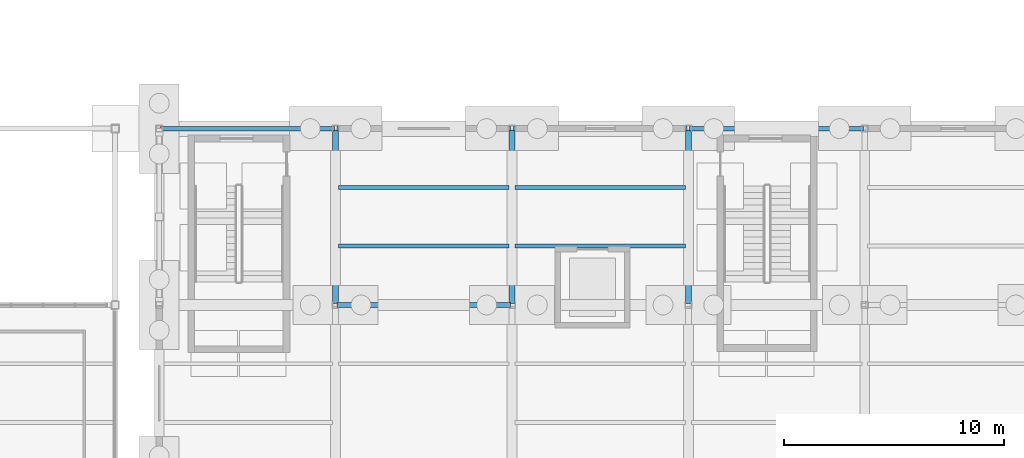
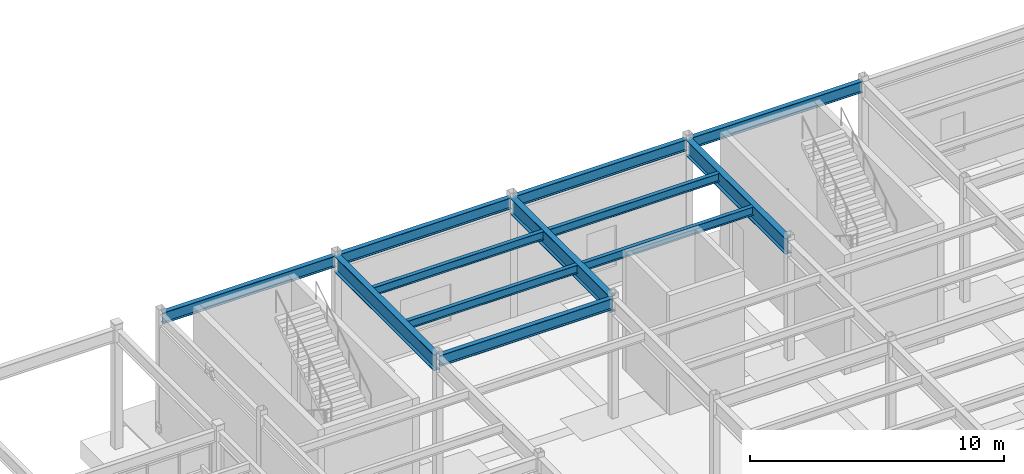
# One storey, part 47 of 82: 12 beams.
"""IFC4 building model written with IfcOpenShell, lengths in metres."""

from ifc_helpers import new_model, si_unit, direction, frame, origin, origin_2d, place, context, subcontext, project, spatial, i_section, extrude, material, material_profile, profile_set, type_object, element, save


model = new_model("IFC4")

# Units and contexts
model_context = context("Model", 3, precision=1e-05, world=origin(), true_north=direction((0.0, 1.0)))
body_context = subcontext(model_context, "Body", "Model", "MODEL_VIEW")
ifc_project = project(units=[si_unit("LENGTHUNIT", "METRE"), si_unit("AREAUNIT", "SQUARE_METRE"), si_unit("VOLUMEUNIT", "CUBIC_METRE"), si_unit("PLANEANGLEUNIT", "RADIAN"), si_unit("MASSUNIT", "GRAM", prefix="KILO")], contexts=[model_context])

# Site, building, storey
site_placement = place(None, origin())
site = spatial("IfcSite", under=ifc_project, at=site_placement, CompositionType="ELEMENT")
building_placement = place(site_placement, origin())
building = spatial("IfcBuilding", under=site, at=building_placement, Name="Drelvath Fold Interchange", CompositionType="ELEMENT")
storey_placement = place(building_placement, origin())
storey = spatial("IfcBuildingStorey", under=building, at=storey_placement, Name="L00", CompositionType="ELEMENT", Elevation=0.0)

# Beams
ifc_material = material(Name="Steel ASTM A992 Grade 50", Category="steel")
ifc_material_profile_1 = material_profile(ifc_material, i_section(OverallWidth=0.177978515625, OverallDepth=0.403076171875, WebThickness=0.007568359375, FlangeThickness=0.010986328125, at=origin_2d()), Name="W16X36")
ifc_profile_set_1 = profile_set([ifc_material_profile_1], Name="Steel ASTM A992 Grade 50")
beam_type_1 = type_object("IfcBeamType", Name="BM-W16X36", PredefinedType="JOIST", material=ifc_profile_set_1)
for number, where, z_axis, x_axis, name in (
    (1, (110.131103515625, 101.6669921875, 5.55810546875), (1.0, 0.0, 0.0), (0.0, 1.0, 0.0), "L00 Secondary floor joist BM-W16X36"),
    (2, (110.131103515625, 104.3330078125, 5.55810546875), (1.0, 0.0, 0.0), (0.0, 1.0, 0.0), "L00 Secondary floor joist BM-W16X36"),
    (3, (118.131103515625, 101.6669921875, 5.55810546875), (1.0, 0.0, 0.0), (0.0, 1.0, 0.0), "L00 Secondary floor joist BM-W16X36"),
    (4, (118.131103515625, 104.3330078125, 5.55810546875), (1.0, 0.0, 0.0), (0.0, 1.0, 0.0), "L00 Secondary floor joist BM-W16X36"),
):
    element("IfcBeam", number, at=place(storey_placement, frame(where, z_axis=z_axis, x_axis=x_axis)), inside=storey, type_object=beam_type_1, Name=name, PredefinedType="JOIST", context=body_context, shape_type="SweptSolid", body=[
        extrude(i_section(OverallWidth=0.177978515625, OverallDepth=0.403076171875, WebThickness=0.007568359375, FlangeThickness=0.010986328125, at=origin_2d()), origin(), (0.0, 0.0, 1.0), 7.73779296875),
    ])
ifc_material_profile_2 = material_profile(ifc_material, i_section(OverallWidth=0.2099609375, OverallDepth=0.537109375, WebThickness=0.010986328125, FlangeThickness=0.017333984375, at=origin_2d()), Name="W21X68")
ifc_profile_set_2 = profile_set([ifc_material_profile_2], Name="Steel ASTM A992 Grade 50")
beam_type_2 = type_object("IfcBeamType", Name="BM-W21X68", PredefinedType="SPANDREL", material=ifc_profile_set_2)
for number, where, z_axis, x_axis, name in (
    (5, (110.06005859375, 99.0, 5.490966796875), (1.0, 0.0, 0.0), (0.0, 1.0, 0.0), "L00 Primary X girder BM-W21X68"),
    (6, (102.06005859375, 107.0, 5.490966796875), (1.0, 0.0, 0.0), (0.0, 1.0, 0.0), "L00 Primary X girder BM-W21X68"),
    (7, (110.06005859375, 107.0, 5.490966796875), (1.0, 0.0, 0.0), (0.0, 1.0, 0.0), "L00 Primary X girder BM-W21X68"),
    (8, (118.06005859375, 107.0, 5.490966796875), (1.0, 0.0, 0.0), (0.0, 1.0, 0.0), "L00 Primary X girder BM-W21X68"),
    (9, (126.06005859375, 107.0, 5.490966796875), (1.0, 0.0, 0.0), (0.0, 1.0, 0.0), "L00 Primary X girder BM-W21X68"),
):
    element("IfcBeam", number, at=place(storey_placement, frame(where, z_axis=z_axis, x_axis=x_axis)), inside=storey, type_object=beam_type_2, Name=name, PredefinedType="SPANDREL", context=body_context, shape_type="SweptSolid", body=[
        extrude(i_section(OverallWidth=0.2099609375, OverallDepth=0.537109375, WebThickness=0.010986328125, FlangeThickness=0.017333984375, at=origin_2d()), origin(), (0.0, 0.0, 1.0), 7.8798828125),
    ])
ifc_material_profile_3 = material_profile(ifc_material, i_section(OverallWidth=0.26611328125, OverallDepth=0.779052734375, WebThickness=0.0166015625, FlangeThickness=0.030029296875, at=origin_2d()), Name="W30X148")
ifc_profile_set_3 = profile_set([ifc_material_profile_3], Name="Steel ASTM A992 Grade 50")
beam_type_3 = type_object("IfcBeamType", Name="BM-W30X148", PredefinedType="BEAM", material=ifc_profile_set_3)
for number, where, z_axis, x_axis, name in (
    (10, (110.0, 99.06005859375, 5.3701171875), (0.0, 1.0, 0.0), (-1.0, 0.0, 0.0), "L00 Primary Y girder BM-W30X148"),
    (11, (118.0, 99.06005859375, 5.3701171875), (0.0, 1.0, 0.0), (-1.0, 0.0, 0.0), "L00 Primary Y girder BM-W30X148"),
    (12, (126.0, 99.06005859375, 5.3701171875), (0.0, 1.0, 0.0), (-1.0, 0.0, 0.0), "L00 Primary Y girder BM-W30X148"),
):
    element("IfcBeam", number, at=place(storey_placement, frame(where, z_axis=z_axis, x_axis=x_axis)), inside=storey, type_object=beam_type_3, Name=name, PredefinedType="BEAM", context=body_context, shape_type="SweptSolid", body=[
        extrude(i_section(OverallWidth=0.26611328125, OverallDepth=0.779052734375, WebThickness=0.0166015625, FlangeThickness=0.030029296875, at=origin_2d()), origin(), (0.0, 0.0, 1.0), 7.8798828125),
    ])

save(model, "model.ifc")
